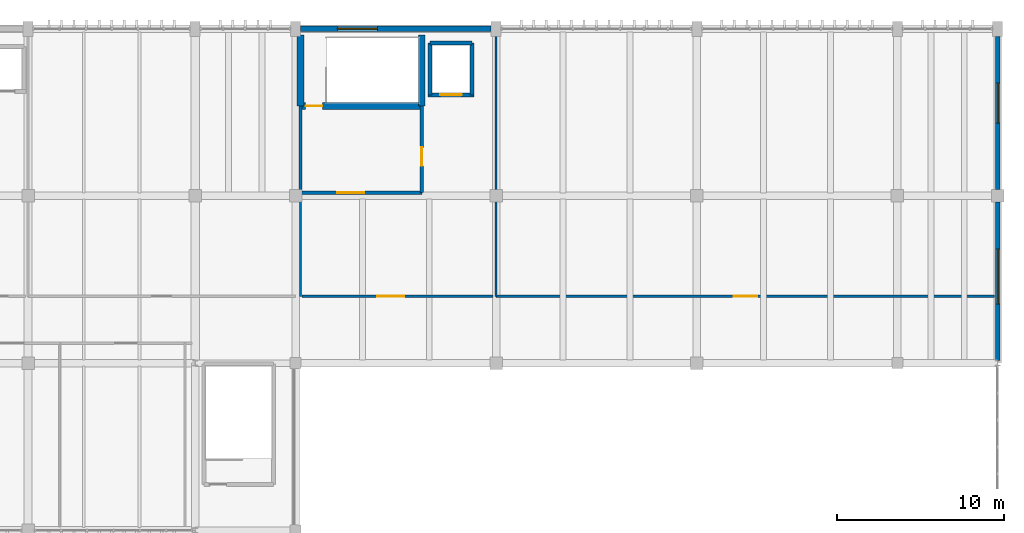
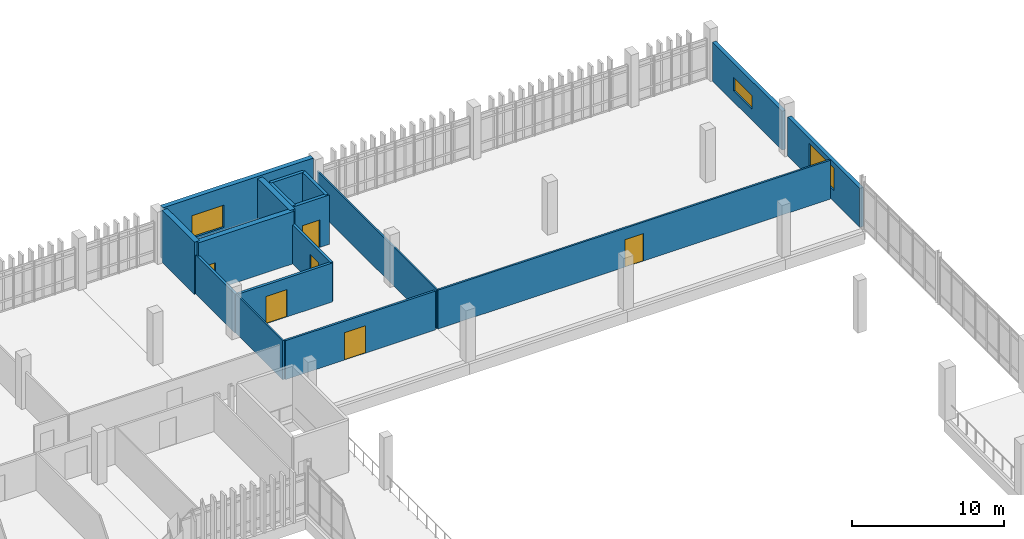
# One storey, part 151 of 161: 17 walls, 6 doors, 3 windows, 9 openings.
"""IFC4 building model written with IfcOpenShell, lengths in metres."""

from ifc_helpers import new_model, si_unit, direction, frame, frame_2d, origin, place, context, subcontext, project, spatial, rectangle, extrude, material, layer, layer_set, type_object, element, fill, save


model = new_model("IFC4")

# Units and contexts
model_context = context("Model", 3, precision=1e-05, world=origin(), true_north=direction((0.0, 1.0)))
body_context = subcontext(model_context, "Body", "Model", "MODEL_VIEW")
ifc_project = project(units=[si_unit("LENGTHUNIT", "METRE"), si_unit("AREAUNIT", "SQUARE_METRE"), si_unit("VOLUMEUNIT", "CUBIC_METRE"), si_unit("PLANEANGLEUNIT", "RADIAN"), si_unit("MASSUNIT", "GRAM", prefix="KILO")], contexts=[model_context])

# Site, building, storey
site_placement = place(None, origin())
site = spatial("IfcSite", under=ifc_project, at=site_placement, CompositionType="ELEMENT")
building_placement = place(site_placement, origin())
building = spatial("IfcBuilding", under=site, at=building_placement, Name="Mersad Railyard Sports Hall", CompositionType="ELEMENT")
storey_placement = place(building_placement, frame((0.0, 0.0, 4.800048828125)))
storey = spatial("IfcBuildingStorey", under=building, at=storey_placement, Name="L01", CompositionType="ELEMENT", Elevation=4.800048828125)

# Wall, opening, window
ifc_material_1 = material(Name="Architectural concrete C50/60", Category="concrete")
ifc_layer_1 = layer(ifc_material_1, 0.35009765625)
ifc_layer_set_1 = layer_set([ifc_layer_1], Name="Architectural concrete C50/60")
wall_type_1 = type_object("IfcWallType", Name="ARC-WL-EW02", PredefinedType="SOLIDWALL", material=ifc_layer_set_1)
wall_1_placement = place(storey_placement, frame((137.300048828125, 115.0, 0.0), z_axis=(0.0, 0.0, 1.0), x_axis=(1.0, 0.0, 0.0)))
wall_1 = element("IfcWall", 1, at=wall_1_placement, inside=storey, type_object=wall_type_1, Name="External wall EW02-0114", PredefinedType="SOLIDWALL", context=body_context, shape_type="SweptSolid", body=[
    extrude(rectangle(XDim=11.39990234375, YDim=0.35009765625, at=frame_2d((5.699951171875, 0.0))), origin(), (0.0, 0.0, 1.0), 4.199951171875),
])
opening_1_placement = place(wall_1_placement, frame((2.199951171875, 0.0, 1.0)))
opening_1 = element("IfcOpeningElement", 2, at=opening_1_placement, cuts=wall_1, Name="Opening W13", PredefinedType="OPENING", context=body_context, shape_type="SweptSolid", body=[
    extrude(rectangle(XDim=2.39990234375, YDim=1.800048828125, at=frame_2d((1.199951171875, 0.89990234375))), frame((0.0, 0.18505859375, 0.0), z_axis=(0.0, -1.0, 0.0), x_axis=(1.0, 0.0, 0.0)), (0.0, 0.0, 1.0), 0.3701171875),
])
ifc_material_2 = material(Name="Solar-control glass", Category="glass")
window_type_1 = type_object("IfcWindowType", Name="ARC-WN-W13", PartitioningType="DOUBLE_PANEL_VERTICAL", PredefinedType="WINDOW", material=ifc_material_2)
window_1_placement = place(opening_1_placement, origin())
window_1 = element("IfcWindow", 3, at=window_1_placement, inside=storey, type_object=window_type_1, Name="Window W13-0031", OverallHeight=1.800048828125, OverallWidth=2.39990234375, PartitioningType="DOUBLE_PANEL_VERTICAL", PredefinedType="WINDOW", context=body_context, shape_type="SweptSolid", body=[
    extrude(rectangle(XDim=2.39990234375, YDim=1.800048828125, at=frame_2d((1.199951171875, 0.89990234375))), frame((0.0, 0.030029296875, 0.0), z_axis=(0.0, -1.0, 0.0), x_axis=(1.0, 0.0, 0.0)), (0.0, 0.0, 1.0), 0.06005859375),
])
fill(opening_1, window_1)

ifc_material_3 = material(Name="Precast concrete C45/55", Category="concrete")
ifc_layer_2 = layer(ifc_material_3, 0.280029296875)
ifc_layer_set_2 = layer_set([ifc_layer_2], Name="Precast concrete C45/55")
wall_type_2 = type_object("IfcWallType", Name="ARC-WL-EW03", PredefinedType="SOLIDWALL", material=ifc_layer_set_2)
wall_2_placement = place(storey_placement, frame((179.0, 104.625, 0.0), z_axis=(0.0, 0.0, 1.0), x_axis=(0.0, -1.0, 0.0)))
wall_2 = element("IfcWall", 4, at=wall_2_placement, inside=storey, type_object=wall_type_2, Name="External wall EW03-0118", PredefinedType="SOLIDWALL", context=body_context, shape_type="SweptSolid", body=[
    extrude(rectangle(XDim=9.47509765625, YDim=0.280029296875, at=frame_2d((4.737548828125, 0.0))), origin(), (0.0, 0.0, 1.0), 3.125),
])
opening_2_placement = place(wall_2_placement, frame((2.800048828125, 0.0, 0.89990234375)))
opening_2 = element("IfcOpeningElement", 5, at=opening_2_placement, cuts=wall_2, Name="Opening W16", PredefinedType="OPENING", context=body_context, shape_type="SweptSolid", body=[
    extrude(rectangle(XDim=3.300048828125, YDim=1.800048828125, at=frame_2d((1.64990234375, 0.89990234375))), frame((0.0, 0.14990234375, 0.0), z_axis=(0.0, -1.0, 0.0), x_axis=(1.0, 0.0, 0.0)), (0.0, 0.0, 1.0), 0.300048828125),
])
window_type_2 = type_object("IfcWindowType", Name="ARC-WN-W16", PartitioningType="DOUBLE_PANEL_VERTICAL", PredefinedType="WINDOW", material=ifc_material_2)
window_2_placement = place(opening_2_placement, origin())
window_2 = element("IfcWindow", 6, at=window_2_placement, inside=storey, type_object=window_type_2, Name="Window W16-0035", OverallHeight=1.800048828125, OverallWidth=3.300048828125, PartitioningType="DOUBLE_PANEL_VERTICAL", PredefinedType="WINDOW", context=body_context, shape_type="SweptSolid", body=[
    extrude(rectangle(XDim=3.300048828125, YDim=1.800048828125, at=frame_2d((1.64990234375, 0.89990234375))), frame((0.0, 0.030029296875, 0.0), z_axis=(0.0, -1.0, 0.0), x_axis=(1.0, 0.0, 0.0)), (0.0, 0.0, 1.0), 0.06005859375),
])
fill(opening_2, window_2)

wall_3_placement = place(storey_placement, frame((179.0, 114.550048828125, 0.0), z_axis=(0.0, 0.0, 1.0), x_axis=(0.0, -1.0, 0.0)))
wall_3 = element("IfcWall", 7, at=wall_3_placement, inside=storey, type_object=wall_type_2, Name="External wall EW03-0119", PredefinedType="SOLIDWALL", context=body_context, shape_type="SweptSolid", body=[
    extrude(rectangle(XDim=9.175048828125, YDim=0.280029296875, at=frame_2d((4.58740234375, 0.0))), origin(), (0.0, 0.0, 1.0), 3.125),
])
opening_3_placement = place(wall_3_placement, frame((2.800048828125, 0.0, 0.89990234375)))
opening_3 = element("IfcOpeningElement", 8, at=opening_3_placement, cuts=wall_3, Name="Opening W23", PredefinedType="OPENING", context=body_context, shape_type="SweptSolid", body=[
    extrude(rectangle(XDim=2.39990234375, YDim=1.10009765625, at=frame_2d((1.199951171875, 0.550048828125))), frame((0.0, 0.14990234375, 0.0), z_axis=(0.0, -1.0, 0.0), x_axis=(1.0, 0.0, 0.0)), (0.0, 0.0, 1.0), 0.300048828125),
])
window_type_3 = type_object("IfcWindowType", Name="ARC-WN-W23", PartitioningType="DOUBLE_PANEL_VERTICAL", PredefinedType="WINDOW", material=ifc_material_2)
window_3_placement = place(opening_3_placement, origin())
window_3 = element("IfcWindow", 9, at=window_3_placement, inside=storey, type_object=window_type_3, Name="Window W23-0036", OverallHeight=1.10009765625, OverallWidth=2.39990234375, PartitioningType="DOUBLE_PANEL_VERTICAL", PredefinedType="WINDOW", context=body_context, shape_type="SweptSolid", body=[
    extrude(rectangle(XDim=2.39990234375, YDim=1.10009765625, at=frame_2d((1.199951171875, 0.550048828125))), frame((0.0, 0.030029296875, 0.0), z_axis=(0.0, -1.0, 0.0), x_axis=(1.0, 0.0, 0.0)), (0.0, 0.0, 1.0), 0.06005859375),
])
fill(opening_3, window_3)

# Wall
ifc_layer_3 = layer(ifc_material_3, 0.199951171875)
ifc_layer_set_3 = layer_set([ifc_layer_3], Name="Precast concrete C45/55")
wall_type_3 = type_object("IfcWallType", Name="ARC-WL-PT01", PredefinedType="PARTITIONING", material=ifc_layer_set_3)
wall_4_placement = place(storey_placement, frame((137.300048828125, 105.199951171875, 0.0), z_axis=(0.0, 0.0, 1.0), x_axis=(0.0, 1.0, 0.0)))
element("IfcWall", 10, at=wall_4_placement, inside=storey, type_object=wall_type_3, Name="Interior wall PT01-0294", PredefinedType="PARTITIONING", context=body_context, shape_type="SweptSolid", body=[
    extrude(rectangle(XDim=5.179931640625, YDim=0.199951171875, at=frame_2d((2.58984375, 0.0))), origin(), (0.0, 0.0, 1.0), 3.125),
])

# Wall, opening, door
wall_5_placement = place(storey_placement, frame((137.300048828125, 105.199951171875, 0.0), z_axis=(0.0, 0.0, 1.0), x_axis=(1.0, 0.0, 0.0)))
wall_5 = element("IfcWall", 11, at=wall_5_placement, inside=storey, type_object=wall_type_3, Name="Interior wall PT01-0295", PredefinedType="PARTITIONING", context=body_context, shape_type="SweptSolid", body=[
    extrude(rectangle(XDim=7.25, YDim=0.199951171875, at=frame_2d((3.625, 0.0))), origin(), (0.0, 0.0, 1.0), 3.125),
])
opening_4_placement = place(wall_5_placement, frame((2.199951171875, 0.0, 0.0)))
opening_4 = element("IfcOpeningElement", 12, at=opening_4_placement, cuts=wall_5, Name="Opening FD04", PredefinedType="OPENING", context=body_context, shape_type="SweptSolid", body=[
    extrude(rectangle(XDim=1.60009765625, YDim=2.199951171875, at=frame_2d((0.800048828125, 1.10009765625))), frame((0.0, 0.10986328125, 0.0), z_axis=(0.0, -1.0, 0.0), x_axis=(1.0, 0.0, 0.0)), (0.0, 0.0, 1.0), 0.219970703125),
])
ifc_material_4 = material(Name="Steel S355", Category="steel")
door_type_1 = type_object("IfcDoorType", Name="ARC-DR-FD04", OperationType="NOTDEFINED", PredefinedType="DOOR", material=ifc_material_4)
door_1_placement = place(opening_4_placement, origin())
door_1 = element("IfcDoor", 13, at=door_1_placement, inside=storey, type_object=door_type_1, Name="C4 firefighting lobby door FD04-0134", OperationType="DOUBLE_DOOR_SINGLE_SWING", OverallHeight=2.199951171875, OverallWidth=1.60009765625, PredefinedType="DOOR", context=body_context, shape_type="SweptSolid", body=[
    extrude(rectangle(XDim=1.60009765625, YDim=2.199951171875, at=frame_2d((0.800048828125, 1.10009765625))), frame((0.0, 0.02490234375, 0.0), z_axis=(0.0, -1.0, 0.0), x_axis=(1.0, 0.0, 0.0)), (0.0, 0.0, 1.0), 0.050048828125),
])
fill(opening_4, door_1)

wall_6_placement = place(storey_placement, frame((144.550048828125, 105.199951171875, 0.0), z_axis=(0.0, 0.0, 1.0), x_axis=(0.0, 1.0, 0.0)))
wall_6 = element("IfcWall", 14, at=wall_6_placement, inside=storey, type_object=wall_type_3, Name="Interior wall PT01-0296", PredefinedType="PARTITIONING", context=body_context, shape_type="SweptSolid", body=[
    extrude(rectangle(XDim=5.179931640625, YDim=0.199951171875, at=frame_2d((2.58984375, 0.0))), origin(), (0.0, 0.0, 1.0), 3.125),
])
opening_5_placement = place(wall_6_placement, frame((1.60009765625, 0.0, 0.0)))
opening_5 = element("IfcOpeningElement", 15, at=opening_5_placement, cuts=wall_6, Name="Opening FD01", PredefinedType="OPENING", context=body_context, shape_type="SweptSolid", body=[
    extrude(rectangle(XDim=1.10009765625, YDim=2.14990234375, at=frame_2d((0.550048828125, 1.074951171875))), frame((0.0, 0.10986328125, 0.0), z_axis=(0.0, -1.0, 0.0), x_axis=(1.0, 0.0, 0.0)), (0.0, 0.0, 1.0), 0.219970703125),
])
door_type_2 = type_object("IfcDoorType", Name="ARC-DR-FD01", OperationType="NOTDEFINED", PredefinedType="DOOR", material=ifc_material_4)
door_2_placement = place(opening_5_placement, origin())
door_2 = element("IfcDoor", 16, at=door_2_placement, inside=storey, type_object=door_type_2, Name="C4 lift-to-firefighting lobby door FD01-0135", OperationType="SINGLE_SWING_LEFT", OverallHeight=2.14990234375, OverallWidth=1.10009765625, PredefinedType="DOOR", context=body_context, shape_type="SweptSolid", body=[
    extrude(rectangle(XDim=1.10009765625, YDim=2.14990234375, at=frame_2d((0.550048828125, 1.074951171875))), frame((0.0, 0.02490234375, 0.0), z_axis=(0.0, -1.0, 0.0), x_axis=(1.0, 0.0, 0.0)), (0.0, 0.0, 1.0), 0.050048828125),
])
fill(opening_5, door_2)

ifc_material_5 = material(Name="Gypsum plasterboard", Category="gypsum")
ifc_layer_4 = layer(ifc_material_5, 0.159912109375)
ifc_layer_set_4 = layer_set([ifc_layer_4], Name="Gypsum plasterboard")
wall_type_4 = type_object("IfcWallType", Name="ARC-WL-PT02", PredefinedType="PARTITIONING", material=ifc_layer_set_4)
wall_7_placement = place(storey_placement, frame((137.39990234375, 99.0, 0.0), z_axis=(0.0, 0.0, 1.0), x_axis=(1.0, 0.0, 0.0)))
wall_7 = element("IfcWall", 17, at=wall_7_placement, inside=storey, type_object=wall_type_4, Name="Interior wall PT02-0297", PredefinedType="PARTITIONING", context=body_context, shape_type="SweptSolid", body=[
    extrude(rectangle(XDim=11.400146484375, YDim=0.159912109375, at=frame_2d((5.7001953125, 0.0))), origin(), (0.0, 0.0, 1.0), 3.125),
])
opening_6_placement = place(wall_7_placement, frame((4.5, 0.0, 0.0)))
opening_6 = element("IfcOpeningElement", 18, at=opening_6_placement, cuts=wall_7, Name="Opening FD04", PredefinedType="OPENING", context=body_context, shape_type="SweptSolid", body=[
    extrude(rectangle(XDim=1.60009765625, YDim=2.199951171875, at=frame_2d((0.800048828125, 1.10009765625))), frame((0.0, 0.08984375, 0.0), z_axis=(0.0, -1.0, 0.0), x_axis=(1.0, 0.0, 0.0)), (0.0, 0.0, 1.0), 0.179931640625),
])
door_3_placement = place(opening_6_placement, origin())
door_3 = element("IfcDoor", 19, at=door_3_placement, inside=storey, type_object=door_type_1, Name="C4 lift lobby corridor door FD04-0136", OperationType="DOUBLE_DOOR_SINGLE_SWING", OverallHeight=2.199951171875, OverallWidth=1.60009765625, PredefinedType="DOOR", context=body_context, shape_type="SweptSolid", body=[
    extrude(rectangle(XDim=1.60009765625, YDim=2.199951171875, at=frame_2d((0.800048828125, 1.10009765625))), frame((0.0, 0.02490234375, 0.0), z_axis=(0.0, -1.0, 0.0), x_axis=(1.0, 0.0, 0.0)), (0.0, 0.0, 1.0), 0.050048828125),
])
fill(opening_6, door_3)

ifc_layer_5 = layer(ifc_material_5, 0.139892578125)
ifc_layer_set_5 = layer_set([ifc_layer_5], Name="Gypsum plasterboard")
wall_type_5 = type_object("IfcWallType", Name="ARC-WL-PT03", PredefinedType="PARTITIONING", material=ifc_layer_set_5)
wall_8_placement = place(storey_placement, frame((149.0, 99.0, 0.0), z_axis=(0.0, 0.0, 1.0), x_axis=(1.0, 0.0, 0.0)))
wall_8 = element("IfcWall", 20, at=wall_8_placement, inside=storey, type_object=wall_type_5, Name="Interior wall PT03-0454", PredefinedType="PARTITIONING", context=body_context, shape_type="SweptSolid", body=[
    extrude(rectangle(XDim=29.820068359375, YDim=0.139892578125, at=frame_2d((14.91015625, 0.0))), origin(), (0.0, 0.0, 1.0), 3.125),
])
opening_7_placement = place(wall_8_placement, frame((14.2099609375, 0.0, 0.0)))
opening_7 = element("IfcOpeningElement", 21, at=opening_7_placement, cuts=wall_8, Name="Opening FD09", PredefinedType="OPENING", context=body_context, shape_type="SweptSolid", body=[
    extrude(rectangle(XDim=1.39990234375, YDim=2.199951171875, at=frame_2d((0.699951171875, 1.10009765625))), frame((0.0, 0.079833984375, 0.0), z_axis=(0.0, -1.0, 0.0), x_axis=(1.0, 0.0, 0.0)), (0.0, 0.0, 1.0), 0.159912109375),
])
door_type_3 = type_object("IfcDoorType", Name="ARC-DR-FD09", OperationType="NOTDEFINED", PredefinedType="DOOR", material=ifc_material_4)
door_4_placement = place(opening_7_placement, origin())
door_4 = element("IfcDoor", 22, at=door_4_placement, inside=storey, type_object=door_type_3, Name="L01 north room door FD09-0203", OperationType="SINGLE_SWING_RIGHT", OverallHeight=2.199951171875, OverallWidth=1.39990234375, PredefinedType="DOOR", context=body_context, shape_type="SweptSolid", body=[
    extrude(rectangle(XDim=1.39990234375, YDim=2.199951171875, at=frame_2d((0.699951171875, 1.10009765625))), frame((0.0, 0.02490234375, 0.0), z_axis=(0.0, -1.0, 0.0), x_axis=(1.0, 0.0, 0.0)), (0.0, 0.0, 1.0), 0.050048828125),
])
fill(opening_7, door_4)

# Walls
ifc_layer_6 = layer(ifc_material_5, 0.1201171875)
ifc_layer_set_6 = layer_set([ifc_layer_6], Name="Gypsum plasterboard")
wall_type_6 = type_object("IfcWallType", Name="ARC-WL-PT04", PredefinedType="PARTITIONING", material=ifc_layer_set_6)
wall_9_placement = place(storey_placement, frame((137.300048828125, 99.0, 0.0), z_axis=(0.0, 0.0, 1.0), x_axis=(0.0, 1.0, 0.0)))
element("IfcWall", 23, at=wall_9_placement, inside=storey, type_object=wall_type_6, Name="Interior wall PT04-0453", PredefinedType="PARTITIONING", context=body_context, shape_type="SweptSolid", body=[
    extrude(rectangle(XDim=6.199951171875, YDim=0.1201171875, at=frame_2d((3.10009765625, 0.0))), origin(), (0.0, 0.0, 1.0), 3.125),
])
wall_10_placement = place(storey_placement, frame((149.0, 99.0, 0.0), z_axis=(0.0, 0.0, 1.0), x_axis=(0.0, 1.0, 0.0)))
element("IfcWall", 24, at=wall_10_placement, inside=storey, type_object=wall_type_6, Name="Interior wall PT04-0455", PredefinedType="PARTITIONING", context=body_context, shape_type="SweptSolid", body=[
    extrude(rectangle(XDim=15.75, YDim=0.1201171875, at=frame_2d((7.875, 0.0))), origin(), (0.0, 0.0, 1.0), 3.125),
])

# Wall, opening, door
ifc_material_6 = material(Name="Concrete C50/60", Category="concrete")
ifc_layer_7 = layer(ifc_material_6, 0.39990234375)
ifc_layer_set_7 = layer_set([ifc_layer_7], Name="Concrete C50/60")
wall_type_7 = type_object("IfcWallType", Name="STR-WL-SW01", PredefinedType="SHEAR", material=ifc_layer_set_7)
wall_11_placement = place(storey_placement, frame((137.300048828125, 110.3798828125, 0.0), z_axis=(0.0, 0.0, 1.0), x_axis=(1.0, 0.0, 0.0)))
wall_11 = element("IfcWall", 25, at=wall_11_placement, inside=storey, type_object=wall_type_7, Name="Interior wall SW01-0291", PredefinedType="SHEAR", context=body_context, shape_type="SweptSolid", body=[
    extrude(rectangle(XDim=7.25, YDim=0.39990234375, at=frame_2d((3.625, 0.0))), origin(), (0.0, 0.0, 1.0), 4.199951171875),
])
opening_8_placement = place(wall_11_placement, frame((0.300048828125, 0.0, 0.0)))
opening_8 = element("IfcOpeningElement", 26, at=opening_8_placement, cuts=wall_11, Name="Opening FD02", PredefinedType="OPENING", context=body_context, shape_type="SweptSolid", body=[
    extrude(rectangle(XDim=1.0, YDim=2.14990234375, at=frame_2d((0.5, 1.074951171875))), frame((0.0, 0.2099609375, 0.0), z_axis=(0.0, -1.0, 0.0), x_axis=(1.0, 0.0, 0.0)), (0.0, 0.0, 1.0), 0.419921875),
])
door_type_4 = type_object("IfcDoorType", Name="ARC-DR-FD02", OperationType="NOTDEFINED", PredefinedType="DOOR", material=ifc_material_4)
door_5_placement = place(opening_8_placement, origin())
door_5 = element("IfcDoor", 27, at=door_5_placement, inside=storey, type_object=door_type_4, Name="C4 stair entrance door FD02-0133", OperationType="SINGLE_SWING_RIGHT", OverallHeight=2.14990234375, OverallWidth=1.0, PredefinedType="DOOR", context=body_context, shape_type="SweptSolid", body=[
    extrude(rectangle(XDim=1.0, YDim=2.14990234375, at=frame_2d((0.5, 1.074951171875))), frame((0.0, 0.02490234375, 0.0), z_axis=(0.0, -1.0, 0.0), x_axis=(1.0, 0.0, 0.0)), (0.0, 0.0, 1.0), 0.050048828125),
])
fill(opening_8, door_5)

# Walls
for number, where, z_axis, x_axis, name in (
    (28, (144.550048828125, 110.3798828125, 0.0), (0.0, 0.0, 1.0), (0.0, 1.0, 0.0), "Interior wall SW01-0292"),
    (29, (137.300048828125, 114.6201171875, 0.0), (0.0, 0.0, 1.0), (0.0, -1.0, 0.0), "Interior wall SW01-0293"),
):
    element("IfcWall", number, at=place(storey_placement, frame(where, z_axis=z_axis, x_axis=x_axis)), inside=storey, type_object=wall_type_7, Name=name, PredefinedType="SHEAR", context=body_context, shape_type="SweptSolid", body=[
        extrude(rectangle(XDim=4.240234375, YDim=0.39990234375, at=frame_2d((2.1201171875, 0.0))), origin(), (0.0, 0.0, 1.0), 4.199951171875),
    ])
ifc_material_7 = material(Name="Concrete C40/50", Category="concrete")
ifc_layer_8 = layer(ifc_material_7, 0.239990234375)
ifc_layer_set_8 = layer_set([ifc_layer_8], Name="Concrete C40/50")
wall_type_8 = type_object("IfcWallType", Name="STR-WL-SW03", PredefinedType="SHEAR", material=ifc_layer_set_8)
for number, where, z_axis, x_axis, name in (
    (30, (145.050048828125, 111.050048828125, 0.0), (0.0, 0.0, 1.0), (0.0, 1.0, 0.0), "Interior wall SW03-0089"),
    (31, (147.550048828125, 114.14990234375, 0.0), (0.0, 0.0, 1.0), (0.0, -1.0, 0.0), "Interior wall SW03-0090"),
):
    element("IfcWall", number, at=place(storey_placement, frame(where, z_axis=z_axis, x_axis=x_axis)), inside=storey, type_object=wall_type_8, Name=name, PredefinedType="SHEAR", context=body_context, shape_type="SweptSolid", body=[
        extrude(rectangle(XDim=3.099853515625, YDim=0.239990234375, at=frame_2d((1.5498046875, 0.0))), origin(), (0.0, 0.0, 1.0), 3.9599609375),
    ])
wall_12_placement = place(storey_placement, frame((145.050048828125, 114.14990234375, 0.0), z_axis=(0.0, 0.0, 1.0), x_axis=(1.0, 0.0, 0.0)))
element("IfcWall", 32, at=wall_12_placement, inside=storey, type_object=wall_type_8, Name="Interior wall SW03-0091", PredefinedType="SHEAR", context=body_context, shape_type="SweptSolid", body=[
    extrude(rectangle(XDim=2.5, YDim=0.239990234375, at=frame_2d((1.25, 0.0))), origin(), (0.0, 0.0, 1.0), 3.9599609375),
])

# Wall, opening, door
wall_13_placement = place(storey_placement, frame((147.669921875, 111.050048828125, 0.0), z_axis=(0.0, 0.0, 1.0), x_axis=(-1.0, 0.0, 0.0)))
wall_13 = element("IfcWall", 33, at=wall_13_placement, inside=storey, type_object=wall_type_8, Name="Interior wall SW03-0092", PredefinedType="SHEAR", context=body_context, shape_type="SweptSolid", body=[
    extrude(rectangle(XDim=2.739990234375, YDim=0.239990234375, at=frame_2d((1.3701171875, 0.0))), origin(), (0.0, 0.0, 1.0), 3.9599609375),
])
opening_9_placement = place(wall_13_placement, frame((0.719970703125, 0.0, 0.0)))
opening_9 = element("IfcOpeningElement", 34, at=opening_9_placement, cuts=wall_13, Name="Opening LD03", PredefinedType="OPENING", context=body_context, shape_type="SweptSolid", body=[
    extrude(rectangle(XDim=1.300048828125, YDim=2.199951171875, at=frame_2d((0.64990234375, 1.10009765625))), frame((0.0, 0.1298828125, 0.0), z_axis=(0.0, -1.0, 0.0), x_axis=(1.0, 0.0, 0.0)), (0.0, 0.0, 1.0), 0.260009765625),
])
door_type_5 = type_object("IfcDoorType", Name="ARC-DR-LD03", OperationType="NOTDEFINED", PredefinedType="USERDEFINED", material=ifc_material_4)
door_6_placement = place(opening_9_placement, origin())
door_6 = element("IfcDoor", 35, at=door_6_placement, inside=storey, type_object=door_type_5, Name="Lift PL-04 landing door LD03-0024", ObjectType="LANDING DOOR", OperationType="DOUBLE_DOOR_SLIDING", OverallHeight=2.199951171875, OverallWidth=1.300048828125, PredefinedType="USERDEFINED", context=body_context, shape_type="SweptSolid", body=[
    extrude(rectangle(XDim=1.300048828125, YDim=2.199951171875, at=frame_2d((0.64990234375, 1.10009765625))), frame((0.0, 0.02490234375, 0.0), z_axis=(0.0, -1.0, 0.0), x_axis=(1.0, 0.0, 0.0)), (0.0, 0.0, 1.0), 0.050048828125),
])
fill(opening_9, door_6)

save(model, "model.ifc")
